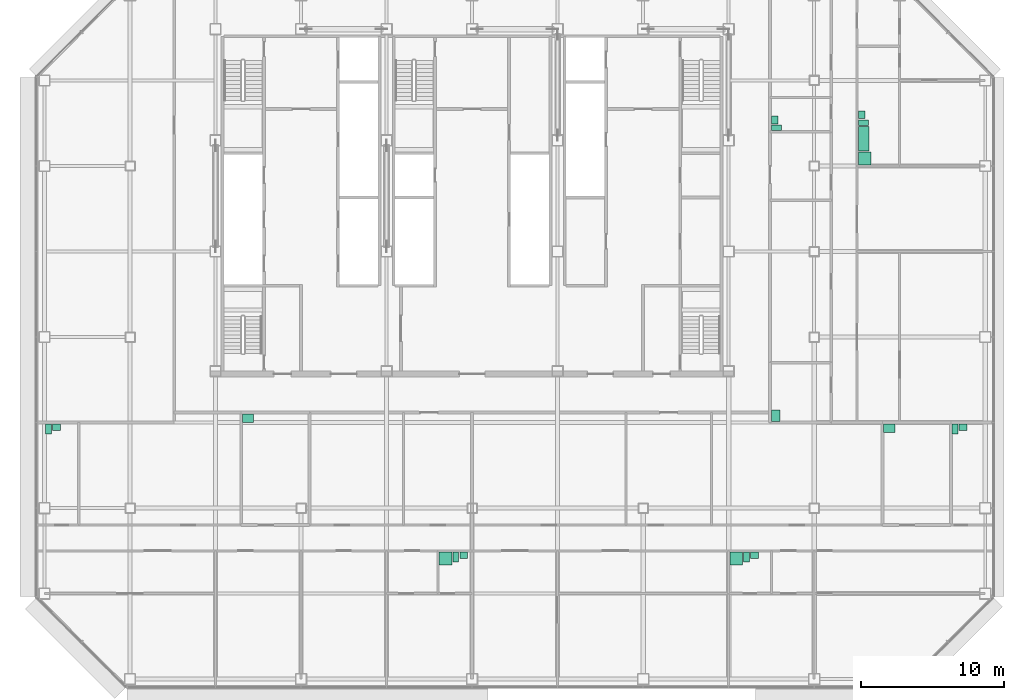
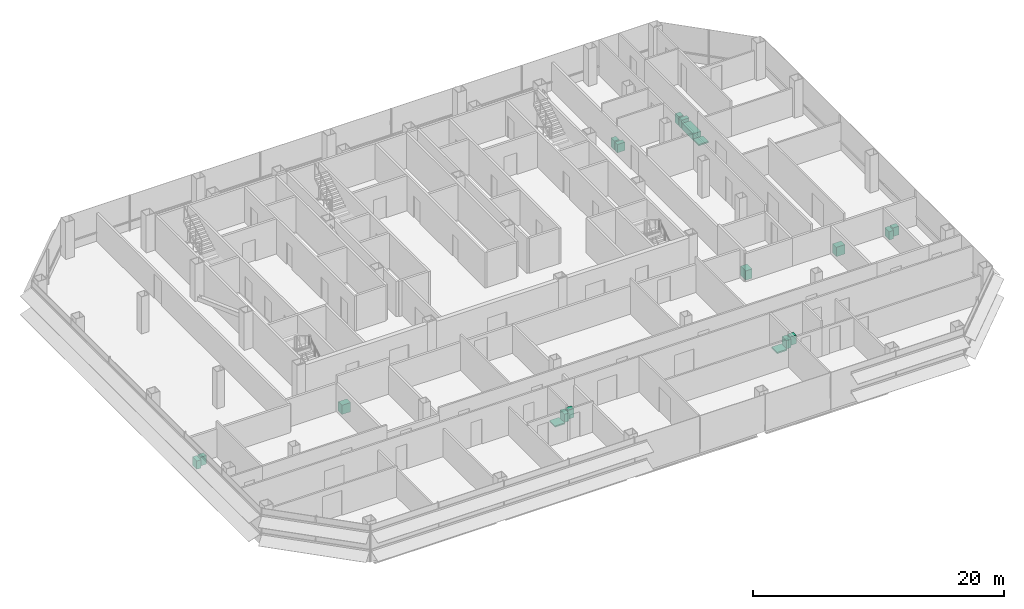
# One storey, part 25 of 25: 19 sanitary terminals.
"""IFC4 building model written with IfcOpenShell, lengths in metres."""

from ifc_helpers import new_model, si_unit, direction, frame, origin, origin_2d, place, context, subcontext, project, spatial, rectangle, extrude, element, save


model = new_model("IFC4")

# Units and contexts
model_context = context("Model", 3, precision=1e-05, world=origin(), true_north=direction((0.0, 1.0)))
body_context = subcontext(model_context, "Body", "Model", "MODEL_VIEW")
ifc_project = project(units=[si_unit("LENGTHUNIT", "METRE"), si_unit("AREAUNIT", "SQUARE_METRE"), si_unit("VOLUMEUNIT", "CUBIC_METRE"), si_unit("PLANEANGLEUNIT", "RADIAN"), si_unit("MASSUNIT", "GRAM", prefix="KILO")], contexts=[model_context])

# Site, building, storey
site_placement = place(None, origin())
site = spatial("IfcSite", under=ifc_project, at=site_placement, CompositionType="ELEMENT")
building_placement = place(site_placement, origin())
building = spatial("IfcBuilding", under=site, at=building_placement, Name="Sorahane Residences", CompositionType="ELEMENT")
storey_placement = place(building_placement, frame((0.0, 0.0, 99.800048828125)))
storey = spatial("IfcBuildingStorey", under=building, at=storey_placement, Name="L21", CompositionType="ELEMENT", Elevation=99.800048828125)

# Sanitary terminals
sanitary_terminal_1_placement = place(storey_placement, frame((22.1298828125, 8.449951171875, 0.0), z_axis=(0.0, 0.0, 1.0), x_axis=(1.0, 0.0, 0.0)))
element("IfcSanitaryTerminal", 1, at=sanitary_terminal_1_placement, inside=storey, Name="Shower tray En-suite bathroom 21A", PredefinedType="SHOWER", context=body_context, shape_type="SweptSolid", body=[
    extrude(rectangle(XDim=0.89990234375, YDim=0.89990234375, at=origin_2d()), origin(), (0.0, 0.0, 1.0), 0.1201171875),
])
sanitary_terminal_2_placement = place(storey_placement, frame((22.860107421875, 8.550048828125, 0.0), z_axis=(0.0, 0.0, 1.0), x_axis=(1.0, 0.0, 0.0)))
element("IfcSanitaryTerminal", 2, at=sanitary_terminal_2_placement, inside=storey, Name="WC pan En-suite bathroom 21A", PredefinedType="TOILETPAN", context=body_context, shape_type="SweptSolid", body=[
    extrude(rectangle(XDim=0.39990234375, YDim=0.699951171875, at=origin_2d()), origin(), (0.0, 0.0, 1.0), 0.800048828125),
])
sanitary_terminal_3_placement = place(storey_placement, frame((23.4150390625, 8.675048828125, 0.0), z_axis=(0.0, 0.0, 1.0), x_axis=(1.0, 0.0, 0.0)))
element("IfcSanitaryTerminal", 3, at=sanitary_terminal_3_placement, inside=storey, Name="Wash basin En-suite bathroom 21A", PredefinedType="WASHHANDBASIN", context=body_context, shape_type="SweptSolid", body=[
    extrude(rectangle(XDim=0.550048828125, YDim=0.449951171875, at=origin_2d()), origin(), (0.0, 0.0, 1.0), 0.85009765625),
])
sanitary_terminal_4_placement = place(storey_placement, frame((-5.719970703125, 17.550048828125, 0.0), z_axis=(0.0, 0.0, 1.0), x_axis=(1.0, 0.0, 0.0)))
element("IfcSanitaryTerminal", 4, at=sanitary_terminal_4_placement, inside=storey, Name="WC pan Guest WC 21A", PredefinedType="TOILETPAN", context=body_context, shape_type="SweptSolid", body=[
    extrude(rectangle(XDim=0.39990234375, YDim=0.699951171875, at=origin_2d()), origin(), (0.0, 0.0, 1.0), 0.800048828125),
])
sanitary_terminal_5_placement = place(storey_placement, frame((-5.1650390625, 17.675048828125, 0.0), z_axis=(0.0, 0.0, 1.0), x_axis=(1.0, 0.0, 0.0)))
element("IfcSanitaryTerminal", 5, at=sanitary_terminal_5_placement, inside=storey, Name="Wash basin Guest WC 21A", PredefinedType="WASHHANDBASIN", context=body_context, shape_type="SweptSolid", body=[
    extrude(rectangle(XDim=0.550048828125, YDim=0.449951171875, at=origin_2d()), origin(), (0.0, 0.0, 1.0), 0.85009765625),
])
sanitary_terminal_6_placement = place(storey_placement, frame((8.280029296875, 18.300048828125, 0.0), z_axis=(0.0, 0.0, 1.0), x_axis=(1.0, 0.0, 0.0)))
element("IfcSanitaryTerminal", 6, at=sanitary_terminal_6_placement, inside=storey, Name="Kitchen sink Kitchen 21A", PredefinedType="SINK", context=body_context, shape_type="SweptSolid", body=[
    extrude(rectangle(XDim=0.800048828125, YDim=0.60009765625, at=origin_2d()), origin(), (0.0, 0.0, 1.0), 0.89990234375),
])
sanitary_terminal_7_placement = place(storey_placement, frame((42.530029296875, 8.449951171875, 0.0), z_axis=(0.0, 0.0, 1.0), x_axis=(1.0, 0.0, 0.0)))
element("IfcSanitaryTerminal", 7, at=sanitary_terminal_7_placement, inside=storey, Name="Shower tray En-suite bathroom 21B", PredefinedType="SHOWER", context=body_context, shape_type="SweptSolid", body=[
    extrude(rectangle(XDim=0.89990234375, YDim=0.89990234375, at=origin_2d()), origin(), (0.0, 0.0, 1.0), 0.1201171875),
])
sanitary_terminal_8_placement = place(storey_placement, frame((43.260009765625, 8.550048828125, 0.0), z_axis=(0.0, 0.0, 1.0), x_axis=(1.0, 0.0, 0.0)))
element("IfcSanitaryTerminal", 8, at=sanitary_terminal_8_placement, inside=storey, Name="WC pan En-suite bathroom 21B", PredefinedType="TOILETPAN", context=body_context, shape_type="SweptSolid", body=[
    extrude(rectangle(XDim=0.39990234375, YDim=0.699951171875, at=origin_2d()), origin(), (0.0, 0.0, 1.0), 0.800048828125),
])
sanitary_terminal_9_placement = place(storey_placement, frame((43.81494140625, 8.675048828125, 0.0), z_axis=(0.0, 0.0, 1.0), x_axis=(1.0, 0.0, 0.0)))
element("IfcSanitaryTerminal", 9, at=sanitary_terminal_9_placement, inside=storey, Name="Wash basin En-suite bathroom 21B", PredefinedType="WASHHANDBASIN", context=body_context, shape_type="SweptSolid", body=[
    extrude(rectangle(XDim=0.550048828125, YDim=0.449951171875, at=origin_2d()), origin(), (0.0, 0.0, 1.0), 0.85009765625),
])
sanitary_terminal_10_placement = place(storey_placement, frame((53.280029296875, 17.60009765625, 0.0), z_axis=(0.0, 0.0, 1.0), x_axis=(1.0, 0.0, 0.0)))
element("IfcSanitaryTerminal", 10, at=sanitary_terminal_10_placement, inside=storey, Name="Kitchen sink Kitchen 21B", PredefinedType="SINK", context=body_context, shape_type="SweptSolid", body=[
    extrude(rectangle(XDim=0.800048828125, YDim=0.60009765625, at=origin_2d()), origin(), (0.0, 0.0, 1.0), 0.89990234375),
])
sanitary_terminal_11_placement = place(storey_placement, frame((57.8798828125, 17.550048828125, 0.0), z_axis=(0.0, 0.0, 1.0), x_axis=(1.0, 0.0, 0.0)))
element("IfcSanitaryTerminal", 11, at=sanitary_terminal_11_placement, inside=storey, Name="WC pan Guest WC 21B", PredefinedType="TOILETPAN", context=body_context, shape_type="SweptSolid", body=[
    extrude(rectangle(XDim=0.39990234375, YDim=0.699951171875, at=origin_2d()), origin(), (0.0, 0.0, 1.0), 0.800048828125),
])
sanitary_terminal_12_placement = place(storey_placement, frame((58.43505859375, 17.675048828125, 0.0), z_axis=(0.0, 0.0, 1.0), x_axis=(1.0, 0.0, 0.0)))
element("IfcSanitaryTerminal", 12, at=sanitary_terminal_12_placement, inside=storey, Name="Wash basin Guest WC 21B", PredefinedType="WASHHANDBASIN", context=body_context, shape_type="SweptSolid", body=[
    extrude(rectangle(XDim=0.550048828125, YDim=0.449951171875, at=origin_2d()), origin(), (0.0, 0.0, 1.0), 0.85009765625),
])
sanitary_terminal_13_placement = place(storey_placement, frame((51.550048828125, 36.530029296875, 0.0), z_axis=(0.0, 0.0, 1.0), x_axis=(0.0, 1.0, 0.0)))
element("IfcSanitaryTerminal", 13, at=sanitary_terminal_13_placement, inside=storey, Name="Shower tray En-suite bathroom 21C", PredefinedType="SHOWER", context=body_context, shape_type="SweptSolid", body=[
    extrude(rectangle(XDim=0.89990234375, YDim=0.89990234375, at=origin_2d()), origin(), (0.0, 0.0, 1.0), 0.1201171875),
])
sanitary_terminal_14_placement = place(storey_placement, frame((51.47509765625, 37.909912109375, 0.0), z_axis=(0.0, 0.0, 1.0), x_axis=(0.0, 1.0, 0.0)))
element("IfcSanitaryTerminal", 14, at=sanitary_terminal_14_placement, inside=storey, Name="Bath En-suite bathroom 21C", PredefinedType="BATH", context=body_context, shape_type="SweptSolid", body=[
    extrude(rectangle(XDim=1.699951171875, YDim=0.75, at=origin_2d()), origin(), (0.0, 0.0, 1.0), 0.56005859375),
])
sanitary_terminal_15_placement = place(storey_placement, frame((51.449951171875, 39.0400390625, 0.0), z_axis=(0.0, 0.0, 1.0), x_axis=(0.0, 1.0, 0.0)))
element("IfcSanitaryTerminal", 15, at=sanitary_terminal_15_placement, inside=storey, Name="WC pan En-suite bathroom 21C", PredefinedType="TOILETPAN", context=body_context, shape_type="SweptSolid", body=[
    extrude(rectangle(XDim=0.39990234375, YDim=0.699951171875, at=origin_2d()), origin(), (0.0, 0.0, 1.0), 0.800048828125),
])
sanitary_terminal_16_placement = place(storey_placement, frame((51.324951171875, 39.594970703125, 0.0), z_axis=(0.0, 0.0, 1.0), x_axis=(0.0, 1.0, 0.0)))
element("IfcSanitaryTerminal", 16, at=sanitary_terminal_16_placement, inside=storey, Name="Wash basin En-suite bathroom 21C", PredefinedType="WASHHANDBASIN", context=body_context, shape_type="SweptSolid", body=[
    extrude(rectangle(XDim=0.550048828125, YDim=0.449951171875, at=origin_2d()), origin(), (0.0, 0.0, 1.0), 0.85009765625),
])
sanitary_terminal_17_placement = place(storey_placement, frame((45.300048828125, 18.47998046875, 0.0), z_axis=(0.0, 0.0, 1.0), x_axis=(0.0, 1.0, 0.0)))
element("IfcSanitaryTerminal", 17, at=sanitary_terminal_17_placement, inside=storey, Name="Kitchen sink Kitchen 21C", PredefinedType="SINK", context=body_context, shape_type="SweptSolid", body=[
    extrude(rectangle(XDim=0.800048828125, YDim=0.60009765625, at=origin_2d()), origin(), (0.0, 0.0, 1.0), 0.89990234375),
])
sanitary_terminal_18_placement = place(storey_placement, frame((45.35009765625, 38.679931640625, 0.0), z_axis=(0.0, 0.0, 1.0), x_axis=(0.0, 1.0, 0.0)))
element("IfcSanitaryTerminal", 18, at=sanitary_terminal_18_placement, inside=storey, Name="WC pan Guest WC 21C", PredefinedType="TOILETPAN", context=body_context, shape_type="SweptSolid", body=[
    extrude(rectangle(XDim=0.39990234375, YDim=0.699951171875, at=origin_2d()), origin(), (0.0, 0.0, 1.0), 0.800048828125),
])
sanitary_terminal_19_placement = place(storey_placement, frame((45.22509765625, 39.235107421875, 0.0), z_axis=(0.0, 0.0, 1.0), x_axis=(0.0, 1.0, 0.0)))
element("IfcSanitaryTerminal", 19, at=sanitary_terminal_19_placement, inside=storey, Name="Wash basin Guest WC 21C", PredefinedType="WASHHANDBASIN", context=body_context, shape_type="SweptSolid", body=[
    extrude(rectangle(XDim=0.550048828125, YDim=0.449951171875, at=origin_2d()), origin(), (0.0, 0.0, 1.0), 0.85009765625),
])

save(model, "model.ifc")
